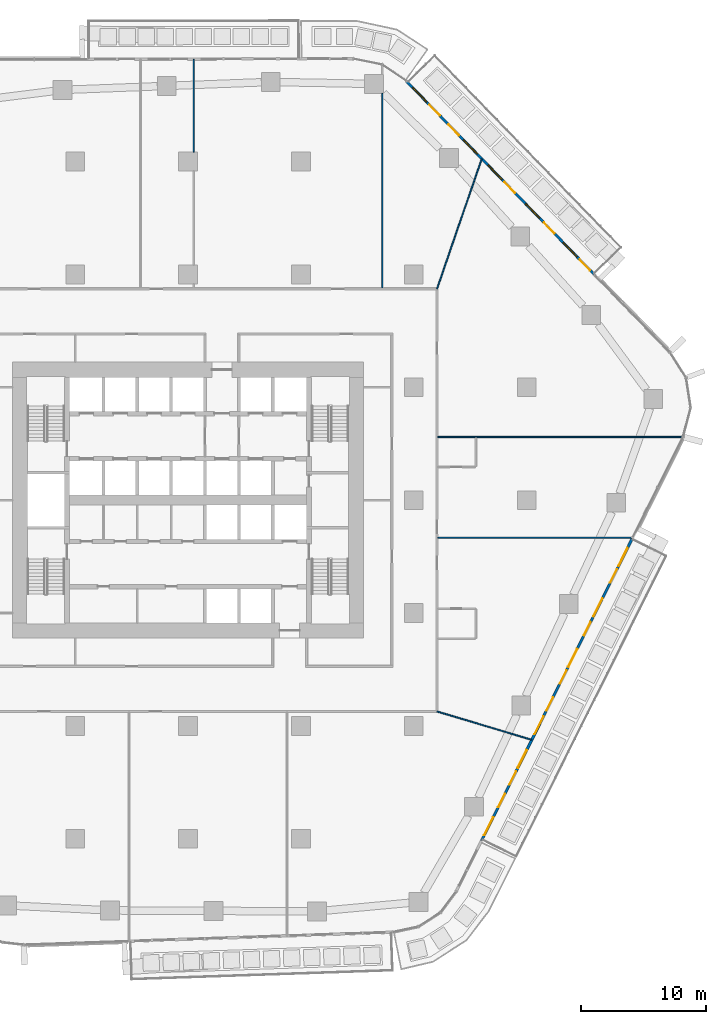
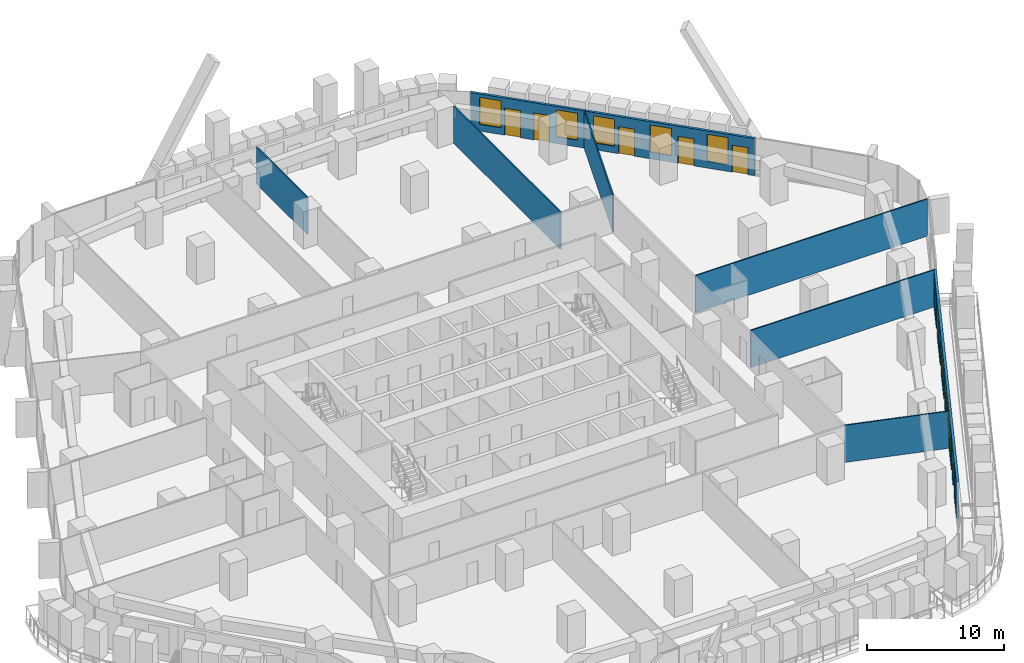
# One storey, part 17 of 26: 11 doors, 11 windows, 8 walls, 22 openings.
"""IFC4 building model written with IfcOpenShell, lengths in metres."""

from ifc_helpers import new_model, si_unit, direction, frame, frame_2d, origin, place, context, subcontext, project, spatial, rectangle, extrude, material, layer, layer_set, type_object, element, fill, save


model = new_model("IFC4")

# Units and contexts
model_context = context("Model", 3, precision=1e-05, world=origin(), true_north=direction((0.0, 1.0)))
body_context = subcontext(model_context, "Body", "Model", "MODEL_VIEW")
ifc_project = project(units=[si_unit("LENGTHUNIT", "METRE"), si_unit("AREAUNIT", "SQUARE_METRE"), si_unit("VOLUMEUNIT", "CUBIC_METRE"), si_unit("PLANEANGLEUNIT", "RADIAN"), si_unit("MASSUNIT", "GRAM", prefix="KILO")], contexts=[model_context])

# Site, building, storey
site_placement = place(None, origin())
site = spatial("IfcSite", under=ifc_project, at=site_placement, CompositionType="ELEMENT")
building_placement = place(site_placement, origin())
building = spatial("IfcBuilding", under=site, at=building_placement, Name="Dongbaek Canopy Tower", CompositionType="ELEMENT")
storey_placement = place(building_placement, frame((0.0, 0.0, 73.60009765625)))
storey = spatial("IfcBuildingStorey", under=building, at=storey_placement, Name="L14", CompositionType="ELEMENT", Elevation=73.60009765625)

# Walls
ifc_material_1 = material(Name="Gypsum board partition, steel stud, 2 x 12.5 mm board", Category="steel")
ifc_layer_1 = layer(ifc_material_1, 0.10009765625)
ifc_layer_set_1 = layer_set([ifc_layer_1], Name="Partition 100 gypsum board")
wall_type_1 = type_object("IfcWallType", Name="Partition 100 gypsum board", PredefinedType="PARTITIONING", material=ifc_layer_set_1)
wall_1_placement = place(storey_placement, frame((19.925048828125, -3.0048828125, 0.0), z_axis=(0.0, 0.0, 1.0), x_axis=(1.0, 0.0, 0.0)))
element("IfcWall", 1, at=wall_1_placement, inside=storey, type_object=wall_type_1, Name="Partition", PredefinedType="PARTITIONING", context=body_context, shape_type="SweptSolid", body=[
    extrude(rectangle(XDim=15.5, YDim=0.10009765625, at=frame_2d((7.75, 0.0))), origin(), (0.0, 0.0, 1.0), 3.2998046875),
])
wall_2_placement = place(storey_placement, frame((19.925048828125, 5.0390625, 0.0), z_axis=(0.0, 0.0, 1.0), x_axis=(1.0, 0.0, 0.0)))
element("IfcWall", 2, at=wall_2_placement, inside=storey, type_object=wall_type_1, Name="Partition", PredefinedType="PARTITIONING", context=body_context, shape_type="SweptSolid", body=[
    extrude(rectangle(XDim=19.51318359375, YDim=0.10009765625, at=frame_2d((9.756591796875, 0.0))), origin(), (0.0, 0.0, 1.0), 3.2998046875),
])
wall_3_placement = place(storey_placement, frame((19.850341796875, 16.849853515625, 0.0), z_axis=(0.0, 0.0, 1.0), x_axis=(0.32525482398, 0.94562640587, 0.0)))
element("IfcWall", 3, at=wall_3_placement, inside=storey, type_object=wall_type_1, Name="Partition", PredefinedType="PARTITIONING", context=body_context, shape_type="SweptSolid", body=[
    extrude(rectangle(XDim=10.9521484375, YDim=0.10009765625, at=frame_2d((5.47607421875, 0.0))), origin(), (0.0, 0.0, 1.0), 3.2998046875),
])
wall_4_placement = place(storey_placement, frame((15.47607421875, 16.925048828125, 0.0), z_axis=(0.0, 0.0, 1.0), x_axis=(0.0, 1.0, 0.0)))
element("IfcWall", 4, at=wall_4_placement, inside=storey, type_object=wall_type_1, Name="Partition", PredefinedType="PARTITIONING", context=body_context, shape_type="SweptSolid", body=[
    extrude(rectangle(XDim=15.51904296875, YDim=0.10009765625, at=frame_2d((7.759521484375, 0.0))), origin(), (0.0, 0.0, 1.0), 3.2998046875),
])
wall_5_placement = place(storey_placement, frame((0.451904296875, 27.75, 0.0), z_axis=(0.0, 0.0, 1.0), x_axis=(0.0, 1.0, 0.0)))
element("IfcWall", 5, at=wall_5_placement, inside=storey, type_object=wall_type_1, Name="Partition", PredefinedType="PARTITIONING", context=body_context, shape_type="SweptSolid", body=[
    extrude(rectangle(XDim=7.407470703125, YDim=0.10009765625, at=frame_2d((3.70361328125, 0.0))), origin(), (0.0, 0.0, 1.0), 3.2998046875),
])
wall_6_placement = place(storey_placement, frame((19.85009765625, -16.85009765625, 0.0), z_axis=(0.0, 0.0, 1.0), x_axis=(0.958075156501, -0.286517005597, 0.0)))
element("IfcWall", 6, at=wall_6_placement, inside=storey, type_object=wall_type_1, Name="Partition", PredefinedType="PARTITIONING", context=body_context, shape_type="SweptSolid", body=[
    extrude(rectangle(XDim=7.87255859375, YDim=0.10009765625, at=frame_2d((3.936279296875, 0.0))), origin(), (0.0, 0.0, 1.0), 3.2998046875),
])

# Wall, openings, doors, windows
ifc_material_2 = material(Name="Aluminium window wall", Category="aluminium")
ifc_layer_2 = layer(ifc_material_2, 0.199951171875)
ifc_layer_set_2 = layer_set([ifc_layer_2], Name="Window wall 200")
wall_type_2 = type_object("IfcWallType", Name="Window wall 200", PredefinedType="SOLIDWALL", material=ifc_layer_set_2)
wall_7_placement = place(storey_placement, frame((32.41650390625, 17.968994140625, 0.0), z_axis=(0.0, 0.0, 1.0), x_axis=(-0.696878416696, 0.717189286272, 0.0)))
wall_7 = element("IfcWall", 7, at=wall_7_placement, inside=storey, type_object=wall_type_2, Name="Window wall L14 1", PredefinedType="SOLIDWALL", context=body_context, shape_type="SweptSolid", body=[
    extrude(rectangle(XDim=21.51611328125, YDim=0.199951171875, at=frame_2d((10.758056640625, 0.0))), origin(), (0.0, 0.0, 1.0), 3.2998046875),
])
opening_1_placement = place(wall_7_placement, frame((2.0, 0.0, 0.60009765625)))
opening_1 = element("IfcOpeningElement", 8, at=opening_1_placement, cuts=wall_7, Name="Opening W1", PredefinedType="OPENING", context=body_context, shape_type="SweptSolid", body=[
    extrude(rectangle(XDim=1.60009765625, YDim=2.39990234375, at=frame_2d((0.800048828125, 1.199951171875))), frame((0.0, 0.10986328125, 0.0), z_axis=(0.0, -1.0, 0.0), x_axis=(1.0, 0.0, 0.0)), (0.0, 0.0, 1.0), 0.219970703125),
])
opening_2_placement = place(wall_7_placement, frame((0.5, 0.0, 0.0)))
opening_2 = element("IfcOpeningElement", 9, at=opening_2_placement, cuts=wall_7, Name="Opening L14-B01", PredefinedType="OPENING", context=body_context, shape_type="SweptSolid", body=[
    extrude(rectangle(XDim=1.199951171875, YDim=2.39990234375, at=frame_2d((0.60009765625, 1.199951171875))), frame((0.0, 0.10986328125, 0.0), z_axis=(0.0, -1.0, 0.0), x_axis=(1.0, 0.0, 0.0)), (0.0, 0.0, 1.0), 0.219970703125),
])
opening_3_placement = place(wall_7_placement, frame((6.30322265625, 0.0, 0.60009765625)))
opening_3 = element("IfcOpeningElement", 10, at=opening_3_placement, cuts=wall_7, Name="Opening W1", PredefinedType="OPENING", context=body_context, shape_type="SweptSolid", body=[
    extrude(rectangle(XDim=1.60009765625, YDim=2.39990234375, at=frame_2d((0.800048828125, 1.199951171875))), frame((0.0, 0.10986328125, 0.0), z_axis=(0.0, -1.0, 0.0), x_axis=(1.0, 0.0, 0.0)), (0.0, 0.0, 1.0), 0.219970703125),
])
opening_4_placement = place(wall_7_placement, frame((4.603271484375, 0.0, 0.0)))
opening_4 = element("IfcOpeningElement", 11, at=opening_4_placement, cuts=wall_7, Name="Opening L14-B02", PredefinedType="OPENING", context=body_context, shape_type="SweptSolid", body=[
    extrude(rectangle(XDim=1.199951171875, YDim=2.39990234375, at=frame_2d((0.60009765625, 1.199951171875))), frame((0.0, 0.10986328125, 0.0), z_axis=(0.0, -1.0, 0.0), x_axis=(1.0, 0.0, 0.0)), (0.0, 0.0, 1.0), 0.219970703125),
])
opening_5_placement = place(wall_7_placement, frame((10.6064453125, 0.0, 0.60009765625)))
opening_5 = element("IfcOpeningElement", 12, at=opening_5_placement, cuts=wall_7, Name="Opening W1", PredefinedType="OPENING", context=body_context, shape_type="SweptSolid", body=[
    extrude(rectangle(XDim=1.60009765625, YDim=2.39990234375, at=frame_2d((0.800048828125, 1.199951171875))), frame((0.0, 0.10986328125, 0.0), z_axis=(0.0, -1.0, 0.0), x_axis=(1.0, 0.0, 0.0)), (0.0, 0.0, 1.0), 0.219970703125),
])
opening_6_placement = place(wall_7_placement, frame((9.1064453125, 0.0, 0.0)))
opening_6 = element("IfcOpeningElement", 13, at=opening_6_placement, cuts=wall_7, Name="Opening L14-B03", PredefinedType="OPENING", context=body_context, shape_type="SweptSolid", body=[
    extrude(rectangle(XDim=1.199951171875, YDim=2.39990234375, at=frame_2d((0.60009765625, 1.199951171875))), frame((0.0, 0.10986328125, 0.0), z_axis=(0.0, -1.0, 0.0), x_axis=(1.0, 0.0, 0.0)), (0.0, 0.0, 1.0), 0.219970703125),
])
opening_7_placement = place(wall_7_placement, frame((13.40966796875, 0.0, 0.60009765625)))
opening_7 = element("IfcOpeningElement", 14, at=opening_7_placement, cuts=wall_7, Name="Opening W1", PredefinedType="OPENING", context=body_context, shape_type="SweptSolid", body=[
    extrude(rectangle(XDim=1.60009765625, YDim=2.39990234375, at=frame_2d((0.800048828125, 1.199951171875))), frame((0.0, 0.10986328125, 0.0), z_axis=(0.0, -1.0, 0.0), x_axis=(1.0, 0.0, 0.0)), (0.0, 0.0, 1.0), 0.219970703125),
])
opening_8_placement = place(wall_7_placement, frame((15.509765625, 0.0, 0.0)))
opening_8 = element("IfcOpeningElement", 15, at=opening_8_placement, cuts=wall_7, Name="Opening L14-B04", PredefinedType="OPENING", context=body_context, shape_type="SweptSolid", body=[
    extrude(rectangle(XDim=1.199951171875, YDim=2.39990234375, at=frame_2d((0.60009765625, 1.199951171875))), frame((0.0, 0.10986328125, 0.0), z_axis=(0.0, -1.0, 0.0), x_axis=(1.0, 0.0, 0.0)), (0.0, 0.0, 1.0), 0.219970703125),
])
opening_9_placement = place(wall_7_placement, frame((19.212890625, 0.0, 0.60009765625)))
opening_9 = element("IfcOpeningElement", 16, at=opening_9_placement, cuts=wall_7, Name="Opening W1", PredefinedType="OPENING", context=body_context, shape_type="SweptSolid", body=[
    extrude(rectangle(XDim=1.60009765625, YDim=2.39990234375, at=frame_2d((0.800048828125, 1.199951171875))), frame((0.0, 0.10986328125, 0.0), z_axis=(0.0, -1.0, 0.0), x_axis=(1.0, 0.0, 0.0)), (0.0, 0.0, 1.0), 0.219970703125),
])
opening_10_placement = place(wall_7_placement, frame((17.712890625, 0.0, 0.0)))
opening_10 = element("IfcOpeningElement", 17, at=opening_10_placement, cuts=wall_7, Name="Opening L14-B05", PredefinedType="OPENING", context=body_context, shape_type="SweptSolid", body=[
    extrude(rectangle(XDim=1.199951171875, YDim=2.39990234375, at=frame_2d((0.60009765625, 1.199951171875))), frame((0.0, 0.10986328125, 0.0), z_axis=(0.0, -1.0, 0.0), x_axis=(1.0, 0.0, 0.0)), (0.0, 0.0, 1.0), 0.219970703125),
])
ifc_material_3 = material(Name="Clear glazing in aluminium frame", Category="aluminium")
door_type = type_object("IfcDoorType", Name="Balcony door BD1 1200 x 2400", OperationType="SLIDING_TO_LEFT", PredefinedType="DOOR", material=ifc_material_3)
door_1_placement = place(opening_2_placement, origin())
door_1 = element("IfcDoor", 18, at=door_1_placement, inside=storey, type_object=door_type, Name="Balcony door L14-B01", OperationType="SLIDING_TO_LEFT", OverallHeight=2.39990234375, OverallWidth=1.199951171875, PredefinedType="DOOR", context=body_context, shape_type="SweptSolid", body=[
    extrude(rectangle(XDim=1.199951171875, YDim=2.39990234375, at=frame_2d((0.60009765625, 1.199951171875))), frame((0.0, 0.02490234375, 0.0), z_axis=(0.0, -1.0, 0.0), x_axis=(1.0, 0.0, 0.0)), (0.0, 0.0, 1.0), 0.050048828125),
])
fill(opening_2, door_1)
door_2_placement = place(opening_4_placement, origin())
door_2 = element("IfcDoor", 19, at=door_2_placement, inside=storey, type_object=door_type, Name="Balcony door L14-B02", OperationType="SLIDING_TO_LEFT", OverallHeight=2.39990234375, OverallWidth=1.199951171875, PredefinedType="DOOR", context=body_context, shape_type="SweptSolid", body=[
    extrude(rectangle(XDim=1.199951171875, YDim=2.39990234375, at=frame_2d((0.60009765625, 1.199951171875))), frame((0.0, 0.02490234375, 0.0), z_axis=(0.0, -1.0, 0.0), x_axis=(1.0, 0.0, 0.0)), (0.0, 0.0, 1.0), 0.050048828125),
])
fill(opening_4, door_2)
door_3_placement = place(opening_6_placement, origin())
door_3 = element("IfcDoor", 20, at=door_3_placement, inside=storey, type_object=door_type, Name="Balcony door L14-B03", OperationType="SLIDING_TO_LEFT", OverallHeight=2.39990234375, OverallWidth=1.199951171875, PredefinedType="DOOR", context=body_context, shape_type="SweptSolid", body=[
    extrude(rectangle(XDim=1.199951171875, YDim=2.39990234375, at=frame_2d((0.60009765625, 1.199951171875))), frame((0.0, 0.02490234375, 0.0), z_axis=(0.0, -1.0, 0.0), x_axis=(1.0, 0.0, 0.0)), (0.0, 0.0, 1.0), 0.050048828125),
])
fill(opening_6, door_3)
door_4_placement = place(opening_8_placement, origin())
door_4 = element("IfcDoor", 21, at=door_4_placement, inside=storey, type_object=door_type, Name="Balcony door L14-B04", OperationType="SLIDING_TO_LEFT", OverallHeight=2.39990234375, OverallWidth=1.199951171875, PredefinedType="DOOR", context=body_context, shape_type="SweptSolid", body=[
    extrude(rectangle(XDim=1.199951171875, YDim=2.39990234375, at=frame_2d((0.60009765625, 1.199951171875))), frame((0.0, 0.02490234375, 0.0), z_axis=(0.0, -1.0, 0.0), x_axis=(1.0, 0.0, 0.0)), (0.0, 0.0, 1.0), 0.050048828125),
])
fill(opening_8, door_4)
door_5_placement = place(opening_10_placement, origin())
door_5 = element("IfcDoor", 22, at=door_5_placement, inside=storey, type_object=door_type, Name="Balcony door L14-B05", OperationType="SLIDING_TO_LEFT", OverallHeight=2.39990234375, OverallWidth=1.199951171875, PredefinedType="DOOR", context=body_context, shape_type="SweptSolid", body=[
    extrude(rectangle(XDim=1.199951171875, YDim=2.39990234375, at=frame_2d((0.60009765625, 1.199951171875))), frame((0.0, 0.02490234375, 0.0), z_axis=(0.0, -1.0, 0.0), x_axis=(1.0, 0.0, 0.0)), (0.0, 0.0, 1.0), 0.050048828125),
])
fill(opening_10, door_5)
ifc_material_4 = material(Name="Clear glazing in aluminium frame", Category="aluminium")
window_type = type_object("IfcWindowType", Name="Window W1 1600 x 2400", PartitioningType="SINGLE_PANEL", PredefinedType="WINDOW", material=ifc_material_4)
window_1_placement = place(opening_1_placement, origin())
window_1 = element("IfcWindow", 23, at=window_1_placement, inside=storey, type_object=window_type, Name="Window L14 1.1", OverallHeight=2.39990234375, OverallWidth=1.60009765625, PartitioningType="SINGLE_PANEL", PredefinedType="WINDOW", context=body_context, shape_type="SweptSolid", body=[
    extrude(rectangle(XDim=1.60009765625, YDim=2.39990234375, at=frame_2d((0.800048828125, 1.199951171875))), frame((0.0, 0.030029296875, 0.0), z_axis=(0.0, -1.0, 0.0), x_axis=(1.0, 0.0, 0.0)), (0.0, 0.0, 1.0), 0.06005859375),
])
fill(opening_1, window_1)
window_2_placement = place(opening_3_placement, origin())
window_2 = element("IfcWindow", 24, at=window_2_placement, inside=storey, type_object=window_type, Name="Window L14 1.2", OverallHeight=2.39990234375, OverallWidth=1.60009765625, PartitioningType="SINGLE_PANEL", PredefinedType="WINDOW", context=body_context, shape_type="SweptSolid", body=[
    extrude(rectangle(XDim=1.60009765625, YDim=2.39990234375, at=frame_2d((0.800048828125, 1.199951171875))), frame((0.0, 0.030029296875, 0.0), z_axis=(0.0, -1.0, 0.0), x_axis=(1.0, 0.0, 0.0)), (0.0, 0.0, 1.0), 0.06005859375),
])
fill(opening_3, window_2)
window_3_placement = place(opening_5_placement, origin())
window_3 = element("IfcWindow", 25, at=window_3_placement, inside=storey, type_object=window_type, Name="Window L14 1.3", OverallHeight=2.39990234375, OverallWidth=1.60009765625, PartitioningType="SINGLE_PANEL", PredefinedType="WINDOW", context=body_context, shape_type="SweptSolid", body=[
    extrude(rectangle(XDim=1.60009765625, YDim=2.39990234375, at=frame_2d((0.800048828125, 1.199951171875))), frame((0.0, 0.030029296875, 0.0), z_axis=(0.0, -1.0, 0.0), x_axis=(1.0, 0.0, 0.0)), (0.0, 0.0, 1.0), 0.06005859375),
])
fill(opening_5, window_3)
window_4_placement = place(opening_7_placement, origin())
window_4 = element("IfcWindow", 26, at=window_4_placement, inside=storey, type_object=window_type, Name="Window L14 1.4", OverallHeight=2.39990234375, OverallWidth=1.60009765625, PartitioningType="SINGLE_PANEL", PredefinedType="WINDOW", context=body_context, shape_type="SweptSolid", body=[
    extrude(rectangle(XDim=1.60009765625, YDim=2.39990234375, at=frame_2d((0.800048828125, 1.199951171875))), frame((0.0, 0.030029296875, 0.0), z_axis=(0.0, -1.0, 0.0), x_axis=(1.0, 0.0, 0.0)), (0.0, 0.0, 1.0), 0.06005859375),
])
fill(opening_7, window_4)
window_5_placement = place(opening_9_placement, origin())
window_5 = element("IfcWindow", 27, at=window_5_placement, inside=storey, type_object=window_type, Name="Window L14 1.5", OverallHeight=2.39990234375, OverallWidth=1.60009765625, PartitioningType="SINGLE_PANEL", PredefinedType="WINDOW", context=body_context, shape_type="SweptSolid", body=[
    extrude(rectangle(XDim=1.60009765625, YDim=2.39990234375, at=frame_2d((0.800048828125, 1.199951171875))), frame((0.0, 0.030029296875, 0.0), z_axis=(0.0, -1.0, 0.0), x_axis=(1.0, 0.0, 0.0)), (0.0, 0.0, 1.0), 0.06005859375),
])
fill(opening_9, window_5)

wall_8_placement = place(storey_placement, frame((23.394287109375, -27.1650390625, 0.0), z_axis=(0.0, 0.0, 1.0), x_axis=(0.446421309396, 0.894822895615, 0.0)))
wall_8 = element("IfcWall", 28, at=wall_8_placement, inside=storey, type_object=wall_type_2, Name="Window wall L14 5", PredefinedType="SOLIDWALL", context=body_context, shape_type="SweptSolid", body=[
    extrude(rectangle(XDim=26.999755859375, YDim=0.199951171875, at=frame_2d((13.5, 0.0))), origin(), (0.0, 0.0, 1.0), 3.2998046875),
])
opening_11_placement = place(wall_8_placement, frame((0.5, 0.0, 0.60009765625)))
opening_11 = element("IfcOpeningElement", 29, at=opening_11_placement, cuts=wall_8, Name="Opening W1", PredefinedType="OPENING", context=body_context, shape_type="SweptSolid", body=[
    extrude(rectangle(XDim=1.60009765625, YDim=2.39990234375, at=frame_2d((0.800048828125, 1.199951171875))), frame((0.0, 0.10986328125, 0.0), z_axis=(0.0, -1.0, 0.0), x_axis=(1.0, 0.0, 0.0)), (0.0, 0.0, 1.0), 0.219970703125),
])
opening_12_placement = place(wall_8_placement, frame((3.0, 0.0, 0.0)))
opening_12 = element("IfcOpeningElement", 30, at=opening_12_placement, cuts=wall_8, Name="Opening L14-B21", PredefinedType="OPENING", context=body_context, shape_type="SweptSolid", body=[
    extrude(rectangle(XDim=1.199951171875, YDim=2.39990234375, at=frame_2d((0.60009765625, 1.199951171875))), frame((0.0, 0.10986328125, 0.0), z_axis=(0.0, -1.0, 0.0), x_axis=(1.0, 0.0, 0.0)), (0.0, 0.0, 1.0), 0.219970703125),
])
opening_13_placement = place(wall_8_placement, frame((6.5, 0.0, 0.60009765625)))
opening_13 = element("IfcOpeningElement", 31, at=opening_13_placement, cuts=wall_8, Name="Opening W1", PredefinedType="OPENING", context=body_context, shape_type="SweptSolid", body=[
    extrude(rectangle(XDim=1.60009765625, YDim=2.39990234375, at=frame_2d((0.800048828125, 1.199951171875))), frame((0.0, 0.10986328125, 0.0), z_axis=(0.0, -1.0, 0.0), x_axis=(1.0, 0.0, 0.0)), (0.0, 0.0, 1.0), 0.219970703125),
])
opening_14_placement = place(wall_8_placement, frame((5.0, 0.0, 0.0)))
opening_14 = element("IfcOpeningElement", 32, at=opening_14_placement, cuts=wall_8, Name="Opening L14-B22", PredefinedType="OPENING", context=body_context, shape_type="SweptSolid", body=[
    extrude(rectangle(XDim=1.199951171875, YDim=2.39990234375, at=frame_2d((0.60009765625, 1.199951171875))), frame((0.0, 0.10986328125, 0.0), z_axis=(0.0, -1.0, 0.0), x_axis=(1.0, 0.0, 0.0)), (0.0, 0.0, 1.0), 0.219970703125),
])
opening_15_placement = place(wall_8_placement, frame((9.5, 0.0, 0.60009765625)))
opening_15 = element("IfcOpeningElement", 33, at=opening_15_placement, cuts=wall_8, Name="Opening W1", PredefinedType="OPENING", context=body_context, shape_type="SweptSolid", body=[
    extrude(rectangle(XDim=1.60009765625, YDim=2.39990234375, at=frame_2d((0.800048828125, 1.199951171875))), frame((0.0, 0.10986328125, 0.0), z_axis=(0.0, -1.0, 0.0), x_axis=(1.0, 0.0, 0.0)), (0.0, 0.0, 1.0), 0.219970703125),
])
opening_16_placement = place(wall_8_placement, frame((11.599853515625, 0.0, 0.0)))
opening_16 = element("IfcOpeningElement", 34, at=opening_16_placement, cuts=wall_8, Name="Opening L14-B23", PredefinedType="OPENING", context=body_context, shape_type="SweptSolid", body=[
    extrude(rectangle(XDim=1.199951171875, YDim=2.39990234375, at=frame_2d((0.60009765625, 1.199951171875))), frame((0.0, 0.10986328125, 0.0), z_axis=(0.0, -1.0, 0.0), x_axis=(1.0, 0.0, 0.0)), (0.0, 0.0, 1.0), 0.219970703125),
])
opening_17_placement = place(wall_8_placement, frame((15.499755859375, 0.0, 0.60009765625)))
opening_17 = element("IfcOpeningElement", 35, at=opening_17_placement, cuts=wall_8, Name="Opening W1", PredefinedType="OPENING", context=body_context, shape_type="SweptSolid", body=[
    extrude(rectangle(XDim=1.60009765625, YDim=2.39990234375, at=frame_2d((0.800048828125, 1.199951171875))), frame((0.0, 0.10986328125, 0.0), z_axis=(0.0, -1.0, 0.0), x_axis=(1.0, 0.0, 0.0)), (0.0, 0.0, 1.0), 0.219970703125),
])
opening_18_placement = place(wall_8_placement, frame((13.999755859375, 0.0, 0.0)))
opening_18 = element("IfcOpeningElement", 36, at=opening_18_placement, cuts=wall_8, Name="Opening L14-B24", PredefinedType="OPENING", context=body_context, shape_type="SweptSolid", body=[
    extrude(rectangle(XDim=1.199951171875, YDim=2.39990234375, at=frame_2d((0.60009765625, 1.199951171875))), frame((0.0, 0.10986328125, 0.0), z_axis=(0.0, -1.0, 0.0), x_axis=(1.0, 0.0, 0.0)), (0.0, 0.0, 1.0), 0.219970703125),
])
opening_19_placement = place(wall_8_placement, frame((19.999755859375, 0.0, 0.60009765625)))
opening_19 = element("IfcOpeningElement", 37, at=opening_19_placement, cuts=wall_8, Name="Opening W1", PredefinedType="OPENING", context=body_context, shape_type="SweptSolid", body=[
    extrude(rectangle(XDim=1.60009765625, YDim=2.39990234375, at=frame_2d((0.800048828125, 1.199951171875))), frame((0.0, 0.10986328125, 0.0), z_axis=(0.0, -1.0, 0.0), x_axis=(1.0, 0.0, 0.0)), (0.0, 0.0, 1.0), 0.219970703125),
])
opening_20_placement = place(wall_8_placement, frame((18.2998046875, 0.0, 0.0)))
opening_20 = element("IfcOpeningElement", 38, at=opening_20_placement, cuts=wall_8, Name="Opening L14-B25", PredefinedType="OPENING", context=body_context, shape_type="SweptSolid", body=[
    extrude(rectangle(XDim=1.199951171875, YDim=2.39990234375, at=frame_2d((0.60009765625, 1.199951171875))), frame((0.0, 0.10986328125, 0.0), z_axis=(0.0, -1.0, 0.0), x_axis=(1.0, 0.0, 0.0)), (0.0, 0.0, 1.0), 0.219970703125),
])
opening_21_placement = place(wall_8_placement, frame((24.499755859375, 0.0, 0.60009765625)))
opening_21 = element("IfcOpeningElement", 39, at=opening_21_placement, cuts=wall_8, Name="Opening W1", PredefinedType="OPENING", context=body_context, shape_type="SweptSolid", body=[
    extrude(rectangle(XDim=1.60009765625, YDim=2.39990234375, at=frame_2d((0.800048828125, 1.199951171875))), frame((0.0, 0.10986328125, 0.0), z_axis=(0.0, -1.0, 0.0), x_axis=(1.0, 0.0, 0.0)), (0.0, 0.0, 1.0), 0.219970703125),
])
opening_22_placement = place(wall_8_placement, frame((22.999755859375, 0.0, 0.0)))
opening_22 = element("IfcOpeningElement", 40, at=opening_22_placement, cuts=wall_8, Name="Opening L14-B26", PredefinedType="OPENING", context=body_context, shape_type="SweptSolid", body=[
    extrude(rectangle(XDim=1.199951171875, YDim=2.39990234375, at=frame_2d((0.60009765625, 1.199951171875))), frame((0.0, 0.10986328125, 0.0), z_axis=(0.0, -1.0, 0.0), x_axis=(1.0, 0.0, 0.0)), (0.0, 0.0, 1.0), 0.219970703125),
])
door_6_placement = place(opening_12_placement, origin())
door_6 = element("IfcDoor", 41, at=door_6_placement, inside=storey, type_object=door_type, Name="Balcony door L14-B21", OperationType="SLIDING_TO_LEFT", OverallHeight=2.39990234375, OverallWidth=1.199951171875, PredefinedType="DOOR", context=body_context, shape_type="SweptSolid", body=[
    extrude(rectangle(XDim=1.199951171875, YDim=2.39990234375, at=frame_2d((0.60009765625, 1.199951171875))), frame((0.0, 0.02490234375, 0.0), z_axis=(0.0, -1.0, 0.0), x_axis=(1.0, 0.0, 0.0)), (0.0, 0.0, 1.0), 0.050048828125),
])
fill(opening_12, door_6)
door_7_placement = place(opening_14_placement, origin())
door_7 = element("IfcDoor", 42, at=door_7_placement, inside=storey, type_object=door_type, Name="Balcony door L14-B22", OperationType="SLIDING_TO_LEFT", OverallHeight=2.39990234375, OverallWidth=1.199951171875, PredefinedType="DOOR", context=body_context, shape_type="SweptSolid", body=[
    extrude(rectangle(XDim=1.199951171875, YDim=2.39990234375, at=frame_2d((0.60009765625, 1.199951171875))), frame((0.0, 0.02490234375, 0.0), z_axis=(0.0, -1.0, 0.0), x_axis=(1.0, 0.0, 0.0)), (0.0, 0.0, 1.0), 0.050048828125),
])
fill(opening_14, door_7)
door_8_placement = place(opening_16_placement, origin())
door_8 = element("IfcDoor", 43, at=door_8_placement, inside=storey, type_object=door_type, Name="Balcony door L14-B23", OperationType="SLIDING_TO_LEFT", OverallHeight=2.39990234375, OverallWidth=1.199951171875, PredefinedType="DOOR", context=body_context, shape_type="SweptSolid", body=[
    extrude(rectangle(XDim=1.199951171875, YDim=2.39990234375, at=frame_2d((0.60009765625, 1.199951171875))), frame((0.0, 0.02490234375, 0.0), z_axis=(0.0, -1.0, 0.0), x_axis=(1.0, 0.0, 0.0)), (0.0, 0.0, 1.0), 0.050048828125),
])
fill(opening_16, door_8)
door_9_placement = place(opening_18_placement, origin())
door_9 = element("IfcDoor", 44, at=door_9_placement, inside=storey, type_object=door_type, Name="Balcony door L14-B24", OperationType="SLIDING_TO_LEFT", OverallHeight=2.39990234375, OverallWidth=1.199951171875, PredefinedType="DOOR", context=body_context, shape_type="SweptSolid", body=[
    extrude(rectangle(XDim=1.199951171875, YDim=2.39990234375, at=frame_2d((0.60009765625, 1.199951171875))), frame((0.0, 0.02490234375, 0.0), z_axis=(0.0, -1.0, 0.0), x_axis=(1.0, 0.0, 0.0)), (0.0, 0.0, 1.0), 0.050048828125),
])
fill(opening_18, door_9)
door_10_placement = place(opening_20_placement, origin())
door_10 = element("IfcDoor", 45, at=door_10_placement, inside=storey, type_object=door_type, Name="Balcony door L14-B25", OperationType="SLIDING_TO_LEFT", OverallHeight=2.39990234375, OverallWidth=1.199951171875, PredefinedType="DOOR", context=body_context, shape_type="SweptSolid", body=[
    extrude(rectangle(XDim=1.199951171875, YDim=2.39990234375, at=frame_2d((0.60009765625, 1.199951171875))), frame((0.0, 0.02490234375, 0.0), z_axis=(0.0, -1.0, 0.0), x_axis=(1.0, 0.0, 0.0)), (0.0, 0.0, 1.0), 0.050048828125),
])
fill(opening_20, door_10)
door_11_placement = place(opening_22_placement, origin())
door_11 = element("IfcDoor", 46, at=door_11_placement, inside=storey, type_object=door_type, Name="Balcony door L14-B26", OperationType="SLIDING_TO_LEFT", OverallHeight=2.39990234375, OverallWidth=1.199951171875, PredefinedType="DOOR", context=body_context, shape_type="SweptSolid", body=[
    extrude(rectangle(XDim=1.199951171875, YDim=2.39990234375, at=frame_2d((0.60009765625, 1.199951171875))), frame((0.0, 0.02490234375, 0.0), z_axis=(0.0, -1.0, 0.0), x_axis=(1.0, 0.0, 0.0)), (0.0, 0.0, 1.0), 0.050048828125),
])
fill(opening_22, door_11)
window_6_placement = place(opening_11_placement, origin())
window_6 = element("IfcWindow", 47, at=window_6_placement, inside=storey, type_object=window_type, Name="Window L14 5.1", OverallHeight=2.39990234375, OverallWidth=1.60009765625, PartitioningType="SINGLE_PANEL", PredefinedType="WINDOW", context=body_context, shape_type="SweptSolid", body=[
    extrude(rectangle(XDim=1.60009765625, YDim=2.39990234375, at=frame_2d((0.800048828125, 1.199951171875))), frame((0.0, 0.030029296875, 0.0), z_axis=(0.0, -1.0, 0.0), x_axis=(1.0, 0.0, 0.0)), (0.0, 0.0, 1.0), 0.06005859375),
])
fill(opening_11, window_6)
window_7_placement = place(opening_13_placement, origin())
window_7 = element("IfcWindow", 48, at=window_7_placement, inside=storey, type_object=window_type, Name="Window L14 5.2", OverallHeight=2.39990234375, OverallWidth=1.60009765625, PartitioningType="SINGLE_PANEL", PredefinedType="WINDOW", context=body_context, shape_type="SweptSolid", body=[
    extrude(rectangle(XDim=1.60009765625, YDim=2.39990234375, at=frame_2d((0.800048828125, 1.199951171875))), frame((0.0, 0.030029296875, 0.0), z_axis=(0.0, -1.0, 0.0), x_axis=(1.0, 0.0, 0.0)), (0.0, 0.0, 1.0), 0.06005859375),
])
fill(opening_13, window_7)
window_8_placement = place(opening_15_placement, origin())
window_8 = element("IfcWindow", 49, at=window_8_placement, inside=storey, type_object=window_type, Name="Window L14 5.3", OverallHeight=2.39990234375, OverallWidth=1.60009765625, PartitioningType="SINGLE_PANEL", PredefinedType="WINDOW", context=body_context, shape_type="SweptSolid", body=[
    extrude(rectangle(XDim=1.60009765625, YDim=2.39990234375, at=frame_2d((0.800048828125, 1.199951171875))), frame((0.0, 0.030029296875, 0.0), z_axis=(0.0, -1.0, 0.0), x_axis=(1.0, 0.0, 0.0)), (0.0, 0.0, 1.0), 0.06005859375),
])
fill(opening_15, window_8)
window_9_placement = place(opening_17_placement, origin())
window_9 = element("IfcWindow", 50, at=window_9_placement, inside=storey, type_object=window_type, Name="Window L14 5.4", OverallHeight=2.39990234375, OverallWidth=1.60009765625, PartitioningType="SINGLE_PANEL", PredefinedType="WINDOW", context=body_context, shape_type="SweptSolid", body=[
    extrude(rectangle(XDim=1.60009765625, YDim=2.39990234375, at=frame_2d((0.800048828125, 1.199951171875))), frame((0.0, 0.030029296875, 0.0), z_axis=(0.0, -1.0, 0.0), x_axis=(1.0, 0.0, 0.0)), (0.0, 0.0, 1.0), 0.06005859375),
])
fill(opening_17, window_9)
window_10_placement = place(opening_19_placement, origin())
window_10 = element("IfcWindow", 51, at=window_10_placement, inside=storey, type_object=window_type, Name="Window L14 5.5", OverallHeight=2.39990234375, OverallWidth=1.60009765625, PartitioningType="SINGLE_PANEL", PredefinedType="WINDOW", context=body_context, shape_type="SweptSolid", body=[
    extrude(rectangle(XDim=1.60009765625, YDim=2.39990234375, at=frame_2d((0.800048828125, 1.199951171875))), frame((0.0, 0.030029296875, 0.0), z_axis=(0.0, -1.0, 0.0), x_axis=(1.0, 0.0, 0.0)), (0.0, 0.0, 1.0), 0.06005859375),
])
fill(opening_19, window_10)
window_11_placement = place(opening_21_placement, origin())
window_11 = element("IfcWindow", 52, at=window_11_placement, inside=storey, type_object=window_type, Name="Window L14 5.6", OverallHeight=2.39990234375, OverallWidth=1.60009765625, PartitioningType="SINGLE_PANEL", PredefinedType="WINDOW", context=body_context, shape_type="SweptSolid", body=[
    extrude(rectangle(XDim=1.60009765625, YDim=2.39990234375, at=frame_2d((0.800048828125, 1.199951171875))), frame((0.0, 0.030029296875, 0.0), z_axis=(0.0, -1.0, 0.0), x_axis=(1.0, 0.0, 0.0)), (0.0, 0.0, 1.0), 0.06005859375),
])
fill(opening_21, window_11)

save(model, "model.ifc")
